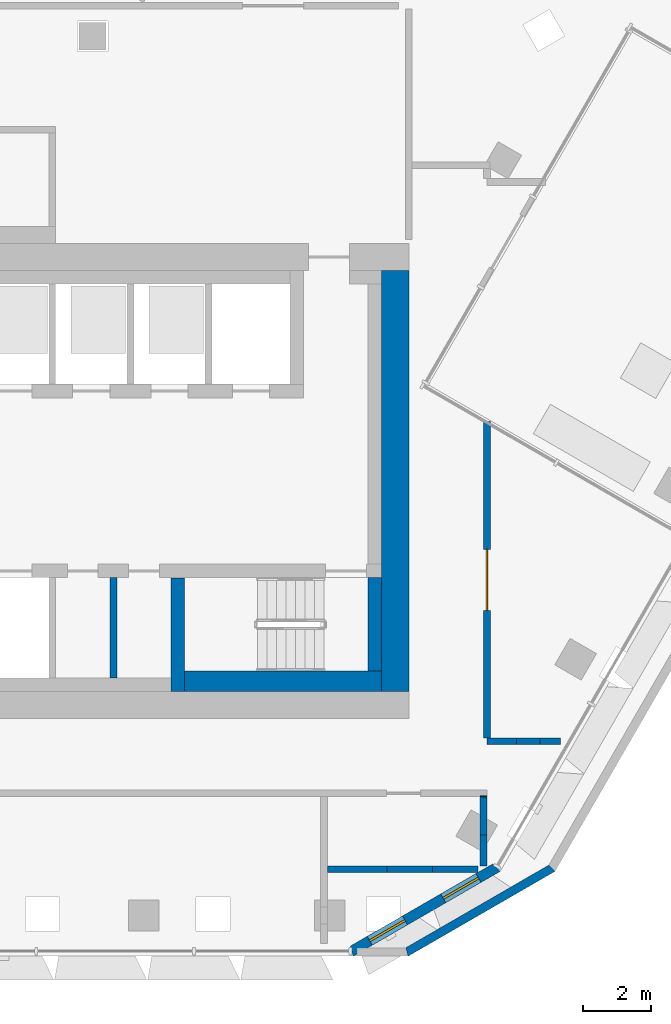
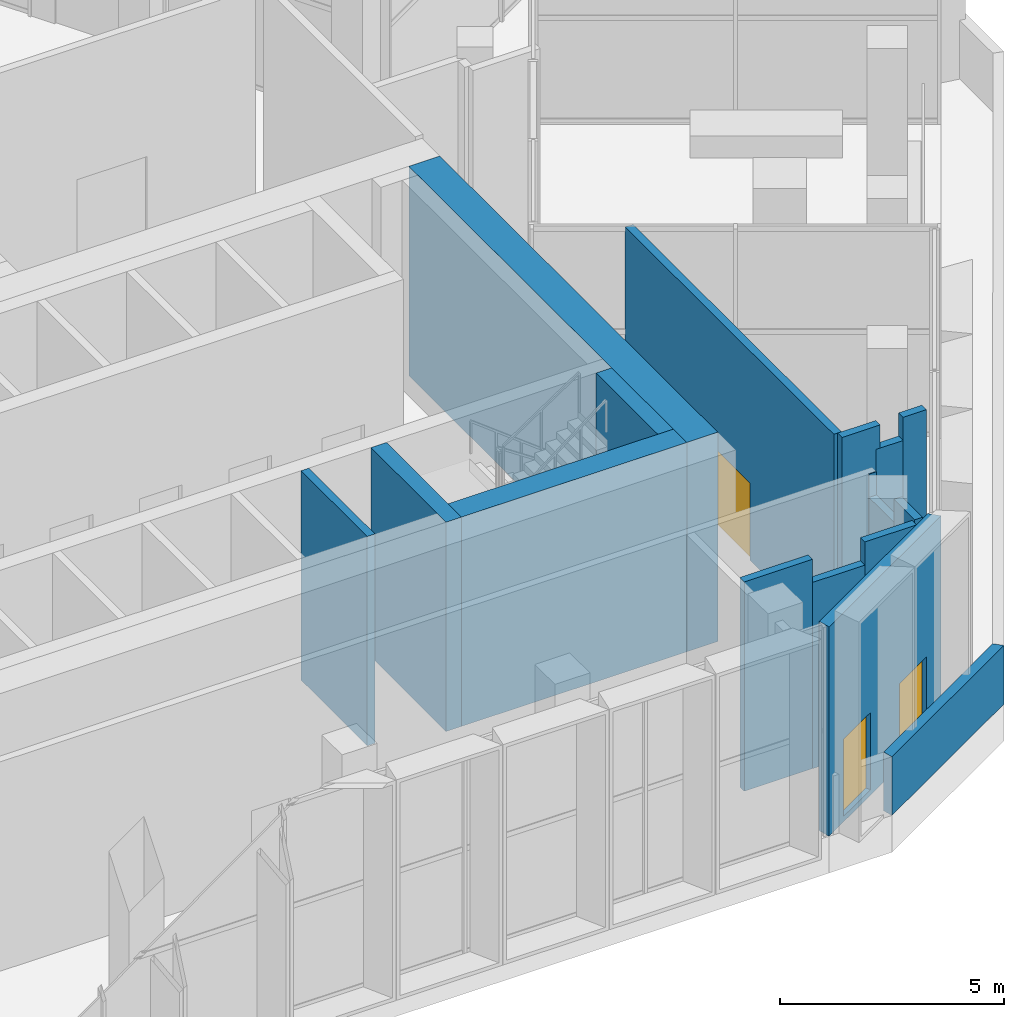
# One storey, part 13 of 27: 17 walls, 2 windows, 1 door, 3 openings.
"""IFC4 building model written with IfcOpenShell, lengths in metres."""

from ifc_helpers import new_model, si_unit, direction, frame, frame_2d, origin, place, context, subcontext, project, spatial, polyline, rectangle, outline, extrude, material, layer, layer_set, type_object, element, fill, save


model = new_model("IFC4")

# Units and contexts
model_context = context("Model", 3, precision=1e-05, world=origin(), true_north=direction((0.0, 1.0)))
body_context = subcontext(model_context, "Body", "Model", "MODEL_VIEW")
ifc_project = project(units=[si_unit("LENGTHUNIT", "METRE"), si_unit("AREAUNIT", "SQUARE_METRE"), si_unit("VOLUMEUNIT", "CUBIC_METRE"), si_unit("PLANEANGLEUNIT", "RADIAN"), si_unit("MASSUNIT", "GRAM", prefix="KILO")], contexts=[model_context])

# Site, building, storey
site_placement = place(None, origin())
site = spatial("IfcSite", under=ifc_project, at=site_placement, CompositionType="ELEMENT")
building_placement = place(site_placement, origin())
building = spatial("IfcBuilding", under=site, at=building_placement, Name="Beryl Residences", CompositionType="ELEMENT")
storey_placement = place(building_placement, frame((0.0, 0.0, 111.60009765625)))
storey = spatial("IfcBuildingStorey", under=building, at=storey_placement, Name="L34", CompositionType="ELEMENT", Elevation=111.60009765625)

# Wall, openings, windows
ifc_material_1 = material(Name="Composite metal panel with mineral wool insulation")
ifc_layer_1 = layer(ifc_material_1, 0.300048828125)
ifc_layer_set_1 = layer_set([ifc_layer_1], Name="ES1 pale metal composite panel wall 300 mm")
wall_type_1 = type_object("IfcWallType", Name="ES1 pale metal composite panel wall 300 mm", PredefinedType="SOLIDWALL", material=ifc_layer_set_1)
wall_1_placement = place(storey_placement, frame((11.5869140625, -25.8701171875, 0.0), z_axis=(0.0, 0.0, 1.0), x_axis=(0.866022959057, 0.500004234368, 0.0)))
wall_1 = element("IfcWall", 1, at=wall_1_placement, inside=storey, type_object=wall_type_1, Name="ES1 external wall L34 S-SE", PredefinedType="SOLIDWALL", context=body_context, shape_type="SweptSolid", body=[
    extrude(outline(polyline([(0.0, -0.14990234375), (5.0, -0.14990234375), (4.919677734375, 0.14990234375), (0.080322265625, 0.14990234375), (0.0, -0.14990234375)])), origin(), (0.0, 0.0, 1.0), 5.699951171875),
])
opening_1_placement = place(wall_1_placement, frame((0.64990234375, 0.0, 0.14990234375)))
opening_1 = element("IfcOpeningElement", 2, at=opening_1_placement, cuts=wall_1, Name="Opening W2", PredefinedType="OPENING", context=body_context, shape_type="SweptSolid", body=[
    extrude(rectangle(XDim=1.199951171875, YDim=2.10009765625, at=frame_2d((0.60009765625, 1.050048828125))), frame((0.0, 0.159912109375, 0.0), z_axis=(0.0, -1.0, 0.0), x_axis=(1.0, 0.0, 0.0)), (0.0, 0.0, 1.0), 0.320068359375),
])
opening_2_placement = place(wall_1_placement, frame((3.14892578125, 0.0, 0.14990234375)))
opening_2 = element("IfcOpeningElement", 3, at=opening_2_placement, cuts=wall_1, Name="Opening W2", PredefinedType="OPENING", context=body_context, shape_type="SweptSolid", body=[
    extrude(rectangle(XDim=1.199951171875, YDim=2.10009765625, at=frame_2d((0.60009765625, 1.050048828125))), frame((0.0, 0.159912109375, 0.0), z_axis=(0.0, -1.0, 0.0), x_axis=(1.0, 0.0, 0.0)), (0.0, 0.0, 1.0), 0.320068359375),
])
ifc_material_2 = material(Name="Aluminium and clear glass", Category="aluminium")
window_type = type_object("IfcWindowType", Name="W2 chamfer window 1200 x 2100 mm", PartitioningType="SINGLE_PANEL", PredefinedType="WINDOW", material=ifc_material_2)
window_1_placement = place(opening_1_placement, origin())
window_1 = element("IfcWindow", 4, at=window_1_placement, inside=storey, type_object=window_type, Name="W2 window L34 S-SE 1", OverallHeight=2.10009765625, OverallWidth=1.199951171875, PartitioningType="SINGLE_PANEL", PredefinedType="WINDOW", context=body_context, shape_type="SweptSolid", body=[
    extrude(rectangle(XDim=1.199951171875, YDim=2.10009765625, at=frame_2d((0.60009765625, 1.050048828125))), frame((0.0, 0.030029296875, 0.0), z_axis=(0.0, -1.0, 0.0), x_axis=(1.0, 0.0, 0.0)), (0.0, 0.0, 1.0), 0.06005859375),
])
fill(opening_1, window_1)
window_2_placement = place(opening_2_placement, origin())
window_2 = element("IfcWindow", 5, at=window_2_placement, inside=storey, type_object=window_type, Name="W2 window L34 S-SE 2", OverallHeight=2.10009765625, OverallWidth=1.199951171875, PartitioningType="SINGLE_PANEL", PredefinedType="WINDOW", context=body_context, shape_type="SweptSolid", body=[
    extrude(rectangle(XDim=1.199951171875, YDim=2.10009765625, at=frame_2d((0.60009765625, 1.050048828125))), frame((0.0, 0.030029296875, 0.0), z_axis=(0.0, -1.0, 0.0), x_axis=(1.0, 0.0, 0.0)), (0.0, 0.0, 1.0), 0.06005859375),
])
fill(opening_2, window_2)

# Walls
ifc_material_3 = material(Name="Precast concrete C40/50", Category="concrete")
ifc_layer_2 = layer(ifc_material_3, 0.25)
ifc_layer_set_2 = layer_set([ifc_layer_2], Name="PA1 roof parapet 250 mm")
wall_type_2 = type_object("IfcWallType", Name="PA1 roof parapet 250 mm", PredefinedType="PARAPET", material=ifc_layer_set_2)
wall_2_placement = place(storey_placement, frame((17.5458984375, -23.39111328125, 0.0), z_axis=(0.0, 0.0, 1.0), x_axis=(-0.865877295069, -0.50025644412, 0.0)))
element("IfcWall", 6, at=wall_2_placement, inside=storey, type_object=wall_type_2, Name="PA1 parapet L34 strip 4", PredefinedType="PARAPET", context=body_context, shape_type="SweptSolid", body=[
    extrude(outline(polyline([(0.06689453125, -0.125), (4.932373046875, -0.125), (4.999267578125, 0.125), (0.0, 0.125), (0.06689453125, -0.125)])), origin(), (0.0, 0.0, 1.0), 1.599853515625),
])
ifc_material_4 = material(Name="Cement board with tiles")
ifc_layer_3 = layer(ifc_material_4, 0.199951171875)
ifc_layer_set_3 = layer_set([ifc_layer_3], Name="PT11-200 wet area wall 200 mm")
wall_type_3 = type_object("IfcWallType", Name="PT11-200 wet area wall 200 mm", PredefinedType="PARTITIONING", material=ifc_layer_set_3)
wall_3_placement = place(storey_placement, frame((10.89990234375, -23.43701171875, 0.0), z_axis=(0.0, 0.0, 1.0), x_axis=(1.0, 0.0, 0.0)))
element("IfcWall", 7, at=wall_3_placement, inside=storey, type_object=wall_type_3, Name="Wall PT11-200 L34 004", PredefinedType="PARTITIONING", context=body_context, shape_type="SweptSolid", body=[
    extrude(rectangle(XDim=1.758056640625, YDim=0.199951171875, at=frame_2d((0.87890625, 0.0))), origin(), (0.0, 0.0, 1.0), 5.699951171875),
])
wall_4_placement = place(storey_placement, frame((12.657958984375, -23.43701171875, 0.0), z_axis=(0.0, 0.0, 1.0), x_axis=(1.0, 0.0, 0.0)))
element("IfcWall", 8, at=wall_4_placement, inside=storey, type_object=wall_type_3, Name="Wall PT11-200 L34 005", PredefinedType="PARTITIONING", context=body_context, shape_type="SweptSolid", body=[
    extrude(rectangle(XDim=1.345947265625, YDim=0.199951171875, at=frame_2d((0.6728515625, 0.0))), origin(), (0.0, 0.0, 1.0), 5.06982421875),
])
wall_5_placement = place(storey_placement, frame((14.00390625, -23.43701171875, 0.0), z_axis=(0.0, 0.0, 1.0), x_axis=(1.0, 0.0, 0.0)))
element("IfcWall", 9, at=wall_5_placement, inside=storey, type_object=wall_type_3, Name="Wall PT11-200 L34 006", PredefinedType="PARTITIONING", context=body_context, shape_type="SweptSolid", body=[
    extrude(rectangle(XDim=1.336181640625, YDim=0.199951171875, at=frame_2d((0.66796875, 0.0))), origin(), (0.0, 0.0, 1.0), 5.699951171875),
])
wall_6_placement = place(storey_placement, frame((15.5, -23.344970703125, 0.0), z_axis=(0.0, 0.0, 1.0), x_axis=(0.0, 1.0, 0.0)))
element("IfcWall", 10, at=wall_6_placement, inside=storey, type_object=wall_type_3, Name="Wall PT11-200 L34 010", PredefinedType="PARTITIONING", context=body_context, shape_type="SweptSolid", body=[
    extrude(rectangle(XDim=0.919921875, YDim=0.199951171875, at=frame_2d((0.4599609375, 0.0))), origin(), (0.0, 0.0, 1.0), 5.699951171875),
])
wall_7_placement = place(storey_placement, frame((15.5, -22.425048828125, 0.0), z_axis=(0.0, 0.0, 1.0), x_axis=(0.0, 1.0, 0.0)))
element("IfcWall", 11, at=wall_7_placement, inside=storey, type_object=wall_type_3, Name="Wall PT11-200 L34 011", PredefinedType="PARTITIONING", context=body_context, shape_type="SweptSolid", body=[
    extrude(rectangle(XDim=1.14599609375, YDim=0.199951171875, at=frame_2d((0.572998046875, 0.0))), origin(), (0.0, 0.0, 1.0), 5.06982421875),
])
wall_8_placement = place(storey_placement, frame((15.5, -21.279052734375, 0.0), z_axis=(0.0, 0.0, 1.0), x_axis=(0.0, -1.0, 0.0)))
element("IfcWall", 12, at=wall_8_placement, inside=storey, type_object=wall_type_3, Name="Wall PT11-200 L34 012", PredefinedType="PARTITIONING", context=body_context, shape_type="SweptSolid", body=[
    extrude(rectangle(XDim=0.02099609375, YDim=0.199951171875, at=frame_2d((0.010498046875, 0.0))), origin(), (0.0, 0.0, 1.0), 5.699951171875),
])
ifc_material_5 = material(Name="Double stud gypsum board wall")
ifc_layer_4 = layer(ifc_material_5, 0.199951171875)
ifc_layer_set_4 = layer_set([ifc_layer_4], Name="PT4 corridor wall 200 mm double stud")
wall_type_4 = type_object("IfcWallType", Name="PT4 corridor wall 200 mm double stud", PredefinedType="PARTITIONING", material=ifc_layer_set_4)
wall_9_placement = place(storey_placement, frame((15.60009765625, -19.666015625, 0.0), z_axis=(0.0, 0.0, 1.0), x_axis=(1.0, 0.0, 0.0)))
element("IfcWall", 13, at=wall_9_placement, inside=storey, type_object=wall_type_4, Name="Wall PT4 L34 002", PredefinedType="PARTITIONING", context=body_context, shape_type="SweptSolid", body=[
    extrude(rectangle(XDim=0.973876953125, YDim=0.199951171875, at=frame_2d((0.48681640625, 0.0))), origin(), (0.0, 0.0, 1.0), 5.699951171875),
])
wall_10_placement = place(storey_placement, frame((16.47412109375, -19.666015625, 0.0), z_axis=(0.0, 0.0, 1.0), x_axis=(1.0, 0.0, 0.0)))
element("IfcWall", 14, at=wall_10_placement, inside=storey, type_object=wall_type_4, Name="Wall PT4 L34 003", PredefinedType="PARTITIONING", context=body_context, shape_type="SweptSolid", body=[
    extrude(rectangle(XDim=0.69287109375, YDim=0.199951171875, at=frame_2d((0.346435546875, 0.0))), origin(), (0.0, 0.0, 1.0), 5.06982421875),
])
wall_11_placement = place(storey_placement, frame((17.1669921875, -19.666015625, 0.0), z_axis=(0.0, 0.0, 1.0), x_axis=(1.0, 0.0, 0.0)))
element("IfcWall", 15, at=wall_11_placement, inside=storey, type_object=wall_type_4, Name="Wall PT4 L34 004", PredefinedType="PARTITIONING", context=body_context, shape_type="SweptSolid", body=[
    extrude(rectangle(XDim=0.59912109375, YDim=0.199951171875, at=frame_2d((0.299560546875, 0.0))), origin(), (0.0, 0.0, 1.0), 5.699951171875),
])

# Wall, opening, door
wall_12_placement = place(storey_placement, frame((15.60009765625, -19.56591796875, 0.0), z_axis=(0.0, 0.0, 1.0), x_axis=(0.0, 1.0, 0.0)))
wall_12 = element("IfcWall", 16, at=wall_12_placement, inside=storey, type_object=wall_type_4, Name="Wall PT4 L34 042", PredefinedType="PARTITIONING", context=body_context, shape_type="SweptSolid", body=[
    extrude(rectangle(XDim=9.31201171875, YDim=0.199951171875, at=frame_2d((4.656005859375, 0.0))), origin(), (0.0, 0.0, 1.0), 5.699951171875),
])
opening_3_placement = place(wall_12_placement, frame((5.552001953125, 0.0, 0.0), z_axis=(0.0, 0.0, 1.0), x_axis=(-1.0, 0.0, 0.0)))
opening_3 = element("IfcOpeningElement", 17, at=opening_3_placement, cuts=wall_12, Name="Opening L34-03", PredefinedType="OPENING", context=body_context, shape_type="SweptSolid", body=[
    extrude(rectangle(XDim=1.800048828125, YDim=2.10009765625, at=frame_2d((0.89990234375, 1.050048828125))), frame((0.0, 0.10986328125, 0.0), z_axis=(0.0, -1.0, 0.0), x_axis=(1.0, 0.0, 0.0)), (0.0, 0.0, 1.0), 0.219970703125),
])
ifc_material_6 = material(Name="Timber door leaf", Category="wood")
door_type = type_object("IfcDoorType", Name="D20 corridor door 1800 x 2100 mm", OperationType="DOUBLE_DOOR_SINGLE_SWING", PredefinedType="DOOR", material=ifc_material_6)
door_placement = place(opening_3_placement, origin())
door = element("IfcDoor", 18, at=door_placement, inside=storey, type_object=door_type, Name="Door L34-03 L34 001", OperationType="DOUBLE_DOOR_SINGLE_SWING", OverallHeight=2.10009765625, OverallWidth=1.800048828125, PredefinedType="DOOR", context=body_context, shape_type="SweptSolid", body=[
    extrude(rectangle(XDim=1.800048828125, YDim=2.10009765625, at=frame_2d((0.89990234375, 1.050048828125))), frame((0.0, 0.02490234375, 0.0), z_axis=(0.0, -1.0, 0.0), x_axis=(1.0, 0.0, 0.0)), (0.0, 0.0, 1.0), 0.050048828125),
])
fill(opening_3, door)

# Walls
ifc_material_7 = material(Name="Concrete C40/50", Category="concrete")
ifc_layer_5 = layer(ifc_material_7, 0.39990234375)
ifc_layer_set_5 = layer_set([ifc_layer_5], Name="PT5-400 stair enclosure wall 400 mm")
wall_type_5 = type_object("IfcWallType", Name="PT5-400 stair enclosure wall 400 mm", PredefinedType="SOLIDWALL", material=ifc_layer_set_5)
wall_13_placement = place(storey_placement, frame((12.300048828125, -17.60009765625, 0.0), z_axis=(0.0, 0.0, 1.0), x_axis=(0.0, 1.0, 0.0)))
element("IfcWall", 19, at=wall_13_placement, inside=storey, type_object=wall_type_5, Name="Stair wall 27", PredefinedType="SOLIDWALL", context=body_context, shape_type="SweptSolid", body=[
    extrude(rectangle(XDim=2.75, YDim=0.39990234375, at=frame_2d((1.375, 0.0))), origin(), (0.0, 0.0, 1.0), 5.699951171875),
])
ifc_material_8 = material(Name="Concrete C40/50", Category="concrete")
ifc_layer_6 = layer(ifc_material_8, 0.60009765625)
ifc_layer_set_6 = layer_set([ifc_layer_6], Name="PT5-600 stair enclosure wall 600 mm")
wall_type_6 = type_object("IfcWallType", Name="PT5-600 stair enclosure wall 600 mm", PredefinedType="SOLIDWALL", material=ifc_layer_set_6)
wall_14_placement = place(storey_placement, frame((6.699951171875, -17.89990234375, 0.0), z_axis=(0.0, 0.0, 1.0), x_axis=(1.0, 0.0, 0.0)))
element("IfcWall", 20, at=wall_14_placement, inside=storey, type_object=wall_type_6, Name="Stair wall 24", PredefinedType="SOLIDWALL", context=body_context, shape_type="SweptSolid", body=[
    extrude(rectangle(XDim=5.800048828125, YDim=0.60009765625, at=frame_2d((2.89990234375, 0.0))), origin(), (0.0, 0.0, 1.0), 5.699951171875),
])
ifc_material_9 = material(Name="Concrete masonry", Category="masonry")
ifc_layer_7 = layer(ifc_material_9, 0.199951171875)
ifc_layer_set_7 = layer_set([ifc_layer_7], Name="PT8-200 service room wall 200 mm")
wall_type_7 = type_object("IfcWallType", Name="PT8-200 service room wall 200 mm", PredefinedType="PARTITIONING", material=ifc_layer_set_7)
wall_15_placement = place(storey_placement, frame((4.60009765625, -17.800048828125, 0.0), z_axis=(0.0, 0.0, 1.0), x_axis=(0.0, 1.0, 0.0)))
element("IfcWall", 21, at=wall_15_placement, inside=storey, type_object=wall_type_7, Name="Core room wall 22", PredefinedType="PARTITIONING", context=body_context, shape_type="SweptSolid", body=[
    extrude(rectangle(XDim=2.949951171875, YDim=0.199951171875, at=frame_2d((1.47509765625, 0.0))), origin(), (0.0, 0.0, 1.0), 5.699951171875),
])
ifc_material_10 = material(Name="Concrete C60/75", Category="concrete")
ifc_layer_8 = layer(ifc_material_10, 0.800048828125)
ifc_layer_set_8 = layer_set([ifc_layer_8], Name="SW3 core outer wall 800 mm C60/75")
wall_type_8 = type_object("IfcWallType", Name="SW3 core outer wall 800 mm C60/75", PredefinedType="SHEAR", material=ifc_layer_set_8)
wall_16_placement = place(storey_placement, frame((12.89990234375, -18.199951171875, 0.0), z_axis=(0.0, 0.0, 1.0), x_axis=(0.0, 1.0, 0.0)))
element("IfcWall", 22, at=wall_16_placement, inside=storey, type_object=wall_type_8, Name="Core wall E L34", PredefinedType="SHEAR", context=body_context, shape_type="SweptSolid", body=[
    extrude(rectangle(XDim=12.39990234375, YDim=0.800048828125, at=frame_2d((6.199951171875, 0.0))), origin(), (0.0, 0.0, 1.0), 5.699951171875),
])
ifc_material_11 = material(Name="Concrete C60/75", Category="concrete")
ifc_layer_9 = layer(ifc_material_11, 0.39990234375)
ifc_layer_set_9 = layer_set([ifc_layer_9], Name="SW8 core internal wall 400 mm C60/75")
wall_type_9 = type_object("IfcWallType", Name="SW8 core internal wall 400 mm C60/75", PredefinedType="SHEAR", material=ifc_layer_set_9)
wall_17_placement = place(storey_placement, frame((6.5, -18.199951171875, 0.0), z_axis=(0.0, 0.0, 1.0), x_axis=(0.0, 1.0, 0.0)))
element("IfcWall", 23, at=wall_17_placement, inside=storey, type_object=wall_type_9, Name="Core wall XS2 L34", PredefinedType="SHEAR", context=body_context, shape_type="SweptSolid", body=[
    extrude(rectangle(XDim=3.349853515625, YDim=0.39990234375, at=frame_2d((1.6748046875, 0.0))), origin(), (0.0, 0.0, 1.0), 5.699951171875),
])

save(model, "model.ifc")
